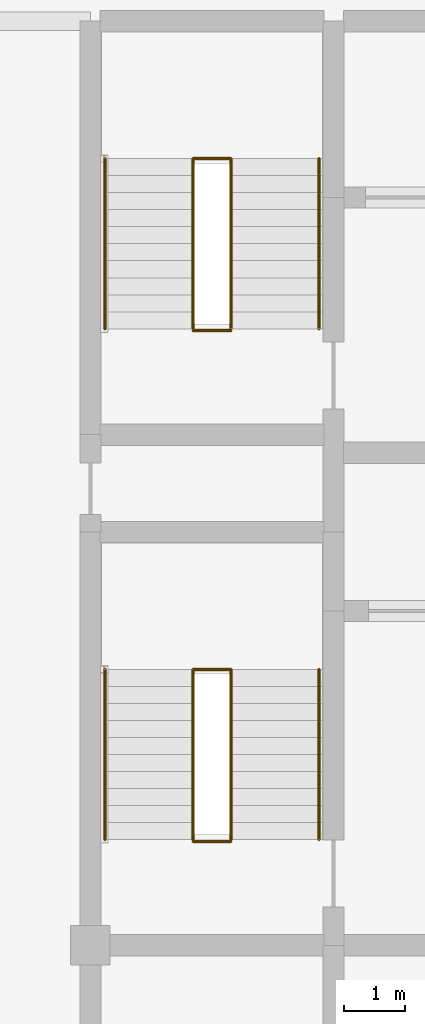
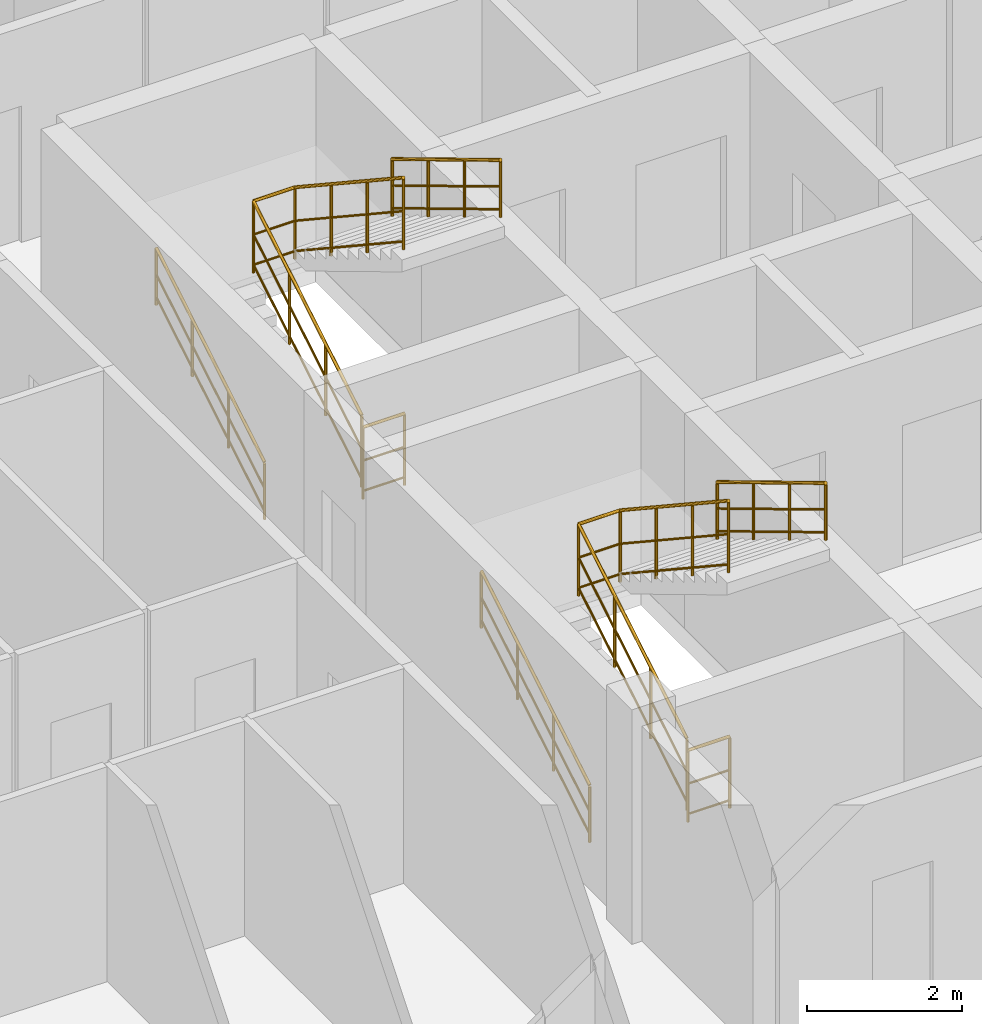
# One storey, part 27 of 27: 8 railings.
"""IFC4 building model written with IfcOpenShell, lengths in metres."""

from ifc_helpers import new_model, si_unit, direction, frame, origin, origin_2d, place, context, subcontext, project, spatial, circle, extrude, material, layer, layer_set, type_object, element, save


model = new_model("IFC4")

# Units and contexts
model_context = context("Model", 3, precision=1e-05, world=origin(), true_north=direction((0.0, 1.0)))
body_context = subcontext(model_context, "Body", "Model", "MODEL_VIEW")
ifc_project = project(units=[si_unit("LENGTHUNIT", "METRE"), si_unit("AREAUNIT", "SQUARE_METRE"), si_unit("VOLUMEUNIT", "CUBIC_METRE"), si_unit("PLANEANGLEUNIT", "RADIAN"), si_unit("MASSUNIT", "GRAM", prefix="KILO")], contexts=[model_context])

# Site, building, storey
site_placement = place(None, origin())
site = spatial("IfcSite", under=ifc_project, at=site_placement, CompositionType="ELEMENT")
building_placement = place(site_placement, origin())
building = spatial("IfcBuilding", under=site, at=building_placement, Name="Keshet Zoharim Tower", CompositionType="ELEMENT")
storey_placement = place(building_placement, frame((0.0, 0.0, 291.699951171875)))
storey = spatial("IfcBuildingStorey", under=building, at=storey_placement, Name="L73", CompositionType="ELEMENT", Elevation=291.699951171875)

# Railings
ifc_material = material(Name="Steel S355", Category="steel")
ifc_layer_1 = layer(ifc_material, 0.050048828125)
ifc_layer_set_1 = layer_set([ifc_layer_1], Name="Steel S355")
railing_type_1 = type_object("IfcRailingType", Name="RL-HND-092", PredefinedType="HANDRAIL", material=ifc_layer_set_1)
railing_1_placement = place(storey_placement, frame((15.239990234375, 24.43994140625, 0.168212890625)))
element("IfcRailing", 1, at=railing_1_placement, inside=storey, type_object=railing_type_1, Name="L73 ST-01 Flight 1 Wall Handrail", PredefinedType="HANDRAIL", context=body_context, shape_type="SweptSolid", body=[
    extrude(circle(Radius=0.02392578125, at=origin_2d()), frame((0.0, 0.0, 0.89599609375), z_axis=(0.0, 0.857242210791, 0.514913383045), x_axis=(-1.0, 0.0, 0.0)), (0.0, 0.0, 1.0), 3.266357421875),
    extrude(circle(Radius=0.01611328125, at=origin_2d()), frame((0.0, 0.0, 0.478271484375), z_axis=(0.0, 0.857242210791, 0.514913383045), x_axis=(-1.0, 0.0, 0.0)), (0.0, 0.0, 1.0), 3.266357421875),
    extrude(circle(Radius=0.01611328125, at=origin_2d()), frame((0.0, 0.0, 0.1201171875), z_axis=(0.0, 0.857242210791, 0.514913383045), x_axis=(-1.0, 0.0, 0.0)), (0.0, 0.0, 1.0), 3.266357421875),
    extrude(circle(Radius=0.02099609375, at=origin_2d()), origin(), (0.0, 0.0, 1.0), 0.871826171875),
    extrude(circle(Radius=0.02099609375, at=origin_2d()), frame((0.0, 0.933349609375, 0.560546875)), (0.0, 0.0, 1.0), 0.871826171875),
    extrude(circle(Radius=0.02099609375, at=origin_2d()), frame((0.0, 1.86669921875, 1.121337890625)), (0.0, 0.0, 1.0), 0.871826171875),
    extrude(circle(Radius=0.02099609375, at=origin_2d()), frame((0.0, 2.800048828125, 1.681884765625)), (0.0, 0.0, 1.0), 0.871826171875),
])
railing_2_placement = place(storey_placement, frame((18.760009765625, 27.239990234375, 2.018310546875)))
element("IfcRailing", 2, at=railing_2_placement, inside=storey, type_object=railing_type_1, Name="L73 ST-01 Flight 2 Wall Handrail", PredefinedType="HANDRAIL", context=body_context, shape_type="SweptSolid", body=[
    extrude(circle(Radius=0.02392578125, at=origin_2d()), frame((0.0, 0.0, 0.89599609375), z_axis=(0.0, -0.857275202839, 0.514858452973), x_axis=(1.0, 0.0, 0.0)), (0.0, 0.0, 1.0), 3.26611328125),
    extrude(circle(Radius=0.01611328125, at=origin_2d()), frame((0.0, 0.0, 0.478271484375), z_axis=(0.0, -0.857275202839, 0.514858452973), x_axis=(1.0, 0.0, 0.0)), (0.0, 0.0, 1.0), 3.26611328125),
    extrude(circle(Radius=0.01611328125, at=origin_2d()), frame((0.0, 0.0, 0.1201171875), z_axis=(0.0, -0.857275202839, 0.514858452973), x_axis=(1.0, 0.0, 0.0)), (0.0, 0.0, 1.0), 3.26611328125),
    extrude(circle(Radius=0.02099609375, at=origin_2d()), origin(), (0.0, 0.0, 1.0), 0.871826171875),
    extrude(circle(Radius=0.02099609375, at=origin_2d()), frame((0.0, -0.933349609375, 0.560546875)), (0.0, 0.0, 1.0), 0.871826171875),
    extrude(circle(Radius=0.02099609375, at=origin_2d()), frame((0.0, -1.86669921875, 1.12109375)), (0.0, 0.0, 1.0), 0.871826171875),
    extrude(circle(Radius=0.02099609375, at=origin_2d()), frame((0.0, -2.800048828125, 1.681640625)), (0.0, 0.0, 1.0), 0.871826171875),
])
railing_3_placement = place(storey_placement, frame((15.239990234375, 32.840087890625, 0.168212890625)))
element("IfcRailing", 3, at=railing_3_placement, inside=storey, type_object=railing_type_1, Name="L73 ST-02 Flight 1 Wall Handrail", PredefinedType="HANDRAIL", context=body_context, shape_type="SweptSolid", body=[
    extrude(circle(Radius=0.02392578125, at=origin_2d()), frame((0.0, 0.0, 0.89599609375), z_axis=(0.0, 0.857222391501, 0.514946377315), x_axis=(-1.0, 0.0, 0.0)), (0.0, 0.0, 1.0), 3.26611328125),
    extrude(circle(Radius=0.01611328125, at=origin_2d()), frame((0.0, 0.0, 0.478271484375), z_axis=(0.0, 0.857222391501, 0.514946377315), x_axis=(-1.0, 0.0, 0.0)), (0.0, 0.0, 1.0), 3.26611328125),
    extrude(circle(Radius=0.01611328125, at=origin_2d()), frame((0.0, 0.0, 0.1201171875), z_axis=(0.0, 0.857222391501, 0.514946377315), x_axis=(-1.0, 0.0, 0.0)), (0.0, 0.0, 1.0), 3.26611328125),
    extrude(circle(Radius=0.02099609375, at=origin_2d()), origin(), (0.0, 0.0, 1.0), 0.871826171875),
    extrude(circle(Radius=0.02099609375, at=origin_2d()), frame((0.0, 0.933349609375, 0.560546875)), (0.0, 0.0, 1.0), 0.871826171875),
    extrude(circle(Radius=0.02099609375, at=origin_2d()), frame((0.0, 1.866455078125, 1.121337890625)), (0.0, 0.0, 1.0), 0.871826171875),
    extrude(circle(Radius=0.02099609375, at=origin_2d()), frame((0.0, 2.7998046875, 1.681884765625)), (0.0, 0.0, 1.0), 0.871826171875),
])
railing_4_placement = place(storey_placement, frame((18.760009765625, 35.639892578125, 2.018310546875)))
element("IfcRailing", 4, at=railing_4_placement, inside=storey, type_object=railing_type_1, Name="L73 ST-02 Flight 2 Wall Handrail", PredefinedType="HANDRAIL", context=body_context, shape_type="SweptSolid", body=[
    extrude(circle(Radius=0.02392578125, at=origin_2d()), frame((0.0, 0.0, 0.89599609375), z_axis=(0.0, -0.857255387014, 0.514891446264), x_axis=(1.0, 0.0, 0.0)), (0.0, 0.0, 1.0), 3.26611328125),
    extrude(circle(Radius=0.01611328125, at=origin_2d()), frame((0.0, 0.0, 0.478271484375), z_axis=(0.0, -0.857255387014, 0.514891446264), x_axis=(1.0, 0.0, 0.0)), (0.0, 0.0, 1.0), 3.26611328125),
    extrude(circle(Radius=0.01611328125, at=origin_2d()), frame((0.0, 0.0, 0.1201171875), z_axis=(0.0, -0.857255387014, 0.514891446264), x_axis=(1.0, 0.0, 0.0)), (0.0, 0.0, 1.0), 3.26611328125),
    extrude(circle(Radius=0.02099609375, at=origin_2d()), origin(), (0.0, 0.0, 1.0), 0.871826171875),
    extrude(circle(Radius=0.02099609375, at=origin_2d()), frame((0.0, -0.933349609375, 0.560546875)), (0.0, 0.0, 1.0), 0.871826171875),
    extrude(circle(Radius=0.02099609375, at=origin_2d()), frame((0.0, -1.866455078125, 1.12109375)), (0.0, 0.0, 1.0), 0.871826171875),
    extrude(circle(Radius=0.02099609375, at=origin_2d()), frame((0.0, -2.7998046875, 1.681640625)), (0.0, 0.0, 1.0), 0.871826171875),
])
ifc_layer_2 = layer(ifc_material, 0.06005859375)
ifc_layer_set_2 = layer_set([ifc_layer_2], Name="Steel S355")
railing_type_2 = type_object("IfcRailingType", Name="RL-STG-115", PredefinedType="GUARDRAIL", material=ifc_layer_set_2)
railing_5_placement = place(storey_placement, frame((16.68994140625, 24.43994140625, 0.168212890625)))
element("IfcRailing", 5, at=railing_5_placement, inside=storey, type_object=railing_type_2, Name="L73 ST-01 Inner Well Guardrail", PredefinedType="GUARDRAIL", context=body_context, shape_type="SweptSolid", body=[
    extrude(circle(Radius=0.02392578125, at=origin_2d()), frame((0.0, 0.0, 1.1259765625), z_axis=(0.0, 0.857242210791, 0.514913383045), x_axis=(-1.0, 0.0, 0.0)), (0.0, 0.0, 1.0), 3.266357421875),
    extrude(circle(Radius=0.01611328125, at=origin_2d()), frame((0.0, 0.0, 0.597900390625), z_axis=(0.0, 0.857242210791, 0.514913383045), x_axis=(-1.0, 0.0, 0.0)), (0.0, 0.0, 1.0), 3.266357421875),
    extrude(circle(Radius=0.01611328125, at=origin_2d()), frame((0.0, 0.0, 0.1201171875), z_axis=(0.0, 0.857242210791, 0.514913383045), x_axis=(-1.0, 0.0, 0.0)), (0.0, 0.0, 1.0), 3.266357421875),
    extrude(circle(Radius=0.02392578125, at=origin_2d()), frame((0.0, 2.800048828125, 2.8076171875), z_axis=(1.0, 0.0, 0.0), x_axis=(0.0, 1.0, 0.0)), (0.0, 0.0, 1.0), 0.6201171875),
    extrude(circle(Radius=0.01611328125, at=origin_2d()), frame((0.0, 2.800048828125, 2.27978515625), z_axis=(1.0, 0.0, 0.0), x_axis=(0.0, 1.0, 0.0)), (0.0, 0.0, 1.0), 0.6201171875),
    extrude(circle(Radius=0.01611328125, at=origin_2d()), frame((0.0, 2.800048828125, 1.802001953125), z_axis=(1.0, 0.0, 0.0), x_axis=(0.0, 1.0, 0.0)), (0.0, 0.0, 1.0), 0.6201171875),
    extrude(circle(Radius=0.02392578125, at=origin_2d()), frame((0.6201171875, 2.800048828125, 2.8076171875), z_axis=(0.0, -0.83435981716, 0.551220187865), x_axis=(1.0, 0.0, 0.0)), (0.0, 0.0, 1.0), 3.35595703125),
    extrude(circle(Radius=0.01611328125, at=origin_2d()), frame((0.6201171875, 2.800048828125, 2.27978515625), z_axis=(0.0, -0.83435981716, 0.551220187865), x_axis=(1.0, 0.0, 0.0)), (0.0, 0.0, 1.0), 3.35595703125),
    extrude(circle(Radius=0.01611328125, at=origin_2d()), frame((0.6201171875, 2.800048828125, 1.802001953125), z_axis=(0.0, -0.83435981716, 0.551220187865), x_axis=(1.0, 0.0, 0.0)), (0.0, 0.0, 1.0), 3.35595703125),
    extrude(circle(Radius=0.02099609375, at=origin_2d()), origin(), (0.0, 0.0, 1.0), 1.101806640625),
    extrude(circle(Radius=0.02099609375, at=origin_2d()), frame((0.0, 0.933349609375, 0.560546875)), (0.0, 0.0, 1.0), 1.101806640625),
    extrude(circle(Radius=0.02099609375, at=origin_2d()), frame((0.0, 1.86669921875, 1.121337890625)), (0.0, 0.0, 1.0), 1.101806640625),
    extrude(circle(Radius=0.02099609375, at=origin_2d()), frame((0.0, 2.800048828125, 1.681884765625)), (0.0, 0.0, 1.0), 1.101806640625),
    extrude(circle(Radius=0.02099609375, at=origin_2d()), frame((0.6201171875, 2.800048828125, 1.681884765625)), (0.0, 0.0, 1.0), 1.101806640625),
    extrude(circle(Radius=0.02099609375, at=origin_2d()), frame((0.6201171875, 1.86669921875, 2.298583984375)), (0.0, 0.0, 1.0), 1.101806640625),
    extrude(circle(Radius=0.02099609375, at=origin_2d()), frame((0.6201171875, 0.933349609375, 2.9150390625)), (0.0, 0.0, 1.0), 1.101806640625),
    extrude(circle(Radius=0.02099609375, at=origin_2d()), frame((0.6201171875, 0.0, 3.53173828125)), (0.0, 0.0, 1.0), 1.101806640625),
])
railing_6_placement = place(storey_placement, frame((16.68994140625, 24.409912109375, 0.0)))
element("IfcRailing", 6, at=railing_6_placement, inside=storey, type_object=railing_type_2, Name="L73 ST-01 Stairwell Floor Guardrail", PredefinedType="GUARDRAIL", context=body_context, shape_type="SweptSolid", body=[
    extrude(circle(Radius=0.02392578125, at=origin_2d()), frame((0.0, 0.0, 1.1259765625), z_axis=(1.0, 0.0, 0.0), x_axis=(0.0, 1.0, 0.0)), (0.0, 0.0, 1.0), 0.6201171875),
    extrude(circle(Radius=0.01611328125, at=origin_2d()), frame((0.0, 0.0, 0.597900390625), z_axis=(1.0, 0.0, 0.0), x_axis=(0.0, 1.0, 0.0)), (0.0, 0.0, 1.0), 0.6201171875),
    extrude(circle(Radius=0.01611328125, at=origin_2d()), frame((0.0, 0.0, 0.1201171875), z_axis=(1.0, 0.0, 0.0), x_axis=(0.0, 1.0, 0.0)), (0.0, 0.0, 1.0), 0.6201171875),
    extrude(circle(Radius=0.02099609375, at=origin_2d()), origin(), (0.0, 0.0, 1.0), 1.101806640625),
    extrude(circle(Radius=0.02099609375, at=origin_2d()), frame((0.6201171875, 0.0, 0.0)), (0.0, 0.0, 1.0), 1.101806640625),
])
railing_7_placement = place(storey_placement, frame((16.68994140625, 32.840087890625, 0.168212890625)))
element("IfcRailing", 7, at=railing_7_placement, inside=storey, type_object=railing_type_2, Name="L73 ST-02 Inner Well Guardrail", PredefinedType="GUARDRAIL", context=body_context, shape_type="SweptSolid", body=[
    extrude(circle(Radius=0.02392578125, at=origin_2d()), frame((0.0, 0.0, 1.1259765625), z_axis=(0.0, 0.857222391501, 0.514946377315), x_axis=(-1.0, 0.0, 0.0)), (0.0, 0.0, 1.0), 3.26611328125),
    extrude(circle(Radius=0.01611328125, at=origin_2d()), frame((0.0, 0.0, 0.597900390625), z_axis=(0.0, 0.857222391501, 0.514946377315), x_axis=(-1.0, 0.0, 0.0)), (0.0, 0.0, 1.0), 3.26611328125),
    extrude(circle(Radius=0.01611328125, at=origin_2d()), frame((0.0, 0.0, 0.1201171875), z_axis=(0.0, 0.857222391501, 0.514946377315), x_axis=(-1.0, 0.0, 0.0)), (0.0, 0.0, 1.0), 3.26611328125),
    extrude(circle(Radius=0.02392578125, at=origin_2d()), frame((0.0, 2.7998046875, 2.8076171875), z_axis=(1.0, 0.0, 0.0), x_axis=(0.0, 1.0, 0.0)), (0.0, 0.0, 1.0), 0.6201171875),
    extrude(circle(Radius=0.01611328125, at=origin_2d()), frame((0.0, 2.7998046875, 2.27978515625), z_axis=(1.0, 0.0, 0.0), x_axis=(0.0, 1.0, 0.0)), (0.0, 0.0, 1.0), 0.6201171875),
    extrude(circle(Radius=0.01611328125, at=origin_2d()), frame((0.0, 2.7998046875, 1.802001953125), z_axis=(1.0, 0.0, 0.0), x_axis=(0.0, 1.0, 0.0)), (0.0, 0.0, 1.0), 0.6201171875),
    extrude(circle(Radius=0.02392578125, at=origin_2d()), frame((0.6201171875, 2.7998046875, 2.8076171875), z_axis=(0.0, -0.834337710781, 0.551253647941), x_axis=(1.0, 0.0, 0.0)), (0.0, 0.0, 1.0), 3.355712890625),
    extrude(circle(Radius=0.01611328125, at=origin_2d()), frame((0.6201171875, 2.7998046875, 2.27978515625), z_axis=(0.0, -0.834337710781, 0.551253647941), x_axis=(1.0, 0.0, 0.0)), (0.0, 0.0, 1.0), 3.355712890625),
    extrude(circle(Radius=0.01611328125, at=origin_2d()), frame((0.6201171875, 2.7998046875, 1.802001953125), z_axis=(0.0, -0.834337710781, 0.551253647941), x_axis=(1.0, 0.0, 0.0)), (0.0, 0.0, 1.0), 3.355712890625),
    extrude(circle(Radius=0.02099609375, at=origin_2d()), origin(), (0.0, 0.0, 1.0), 1.101806640625),
    extrude(circle(Radius=0.02099609375, at=origin_2d()), frame((0.0, 0.933349609375, 0.560546875)), (0.0, 0.0, 1.0), 1.101806640625),
    extrude(circle(Radius=0.02099609375, at=origin_2d()), frame((0.0, 1.866455078125, 1.121337890625)), (0.0, 0.0, 1.0), 1.101806640625),
    extrude(circle(Radius=0.02099609375, at=origin_2d()), frame((0.0, 2.7998046875, 1.681884765625)), (0.0, 0.0, 1.0), 1.101806640625),
    extrude(circle(Radius=0.02099609375, at=origin_2d()), frame((0.6201171875, 2.7998046875, 1.681884765625)), (0.0, 0.0, 1.0), 1.101806640625),
    extrude(circle(Radius=0.02099609375, at=origin_2d()), frame((0.6201171875, 1.866455078125, 2.298583984375)), (0.0, 0.0, 1.0), 1.101806640625),
    extrude(circle(Radius=0.02099609375, at=origin_2d()), frame((0.6201171875, 0.933349609375, 2.9150390625)), (0.0, 0.0, 1.0), 1.101806640625),
    extrude(circle(Radius=0.02099609375, at=origin_2d()), frame((0.6201171875, 0.0, 3.53173828125)), (0.0, 0.0, 1.0), 1.101806640625),
])
railing_8_placement = place(storey_placement, frame((16.68994140625, 32.81005859375, 0.0)))
element("IfcRailing", 8, at=railing_8_placement, inside=storey, type_object=railing_type_2, Name="L73 ST-02 Stairwell Floor Guardrail", PredefinedType="GUARDRAIL", context=body_context, shape_type="SweptSolid", body=[
    extrude(circle(Radius=0.02392578125, at=origin_2d()), frame((0.0, 0.0, 1.1259765625), z_axis=(1.0, 0.0, 0.0), x_axis=(0.0, 1.0, 0.0)), (0.0, 0.0, 1.0), 0.6201171875),
    extrude(circle(Radius=0.01611328125, at=origin_2d()), frame((0.0, 0.0, 0.597900390625), z_axis=(1.0, 0.0, 0.0), x_axis=(0.0, 1.0, 0.0)), (0.0, 0.0, 1.0), 0.6201171875),
    extrude(circle(Radius=0.01611328125, at=origin_2d()), frame((0.0, 0.0, 0.1201171875), z_axis=(1.0, 0.0, 0.0), x_axis=(0.0, 1.0, 0.0)), (0.0, 0.0, 1.0), 0.6201171875),
    extrude(circle(Radius=0.02099609375, at=origin_2d()), origin(), (0.0, 0.0, 1.0), 1.101806640625),
    extrude(circle(Radius=0.02099609375, at=origin_2d()), frame((0.6201171875, 0.0, 0.0)), (0.0, 0.0, 1.0), 1.101806640625),
])

save(model, "model.ifc")
